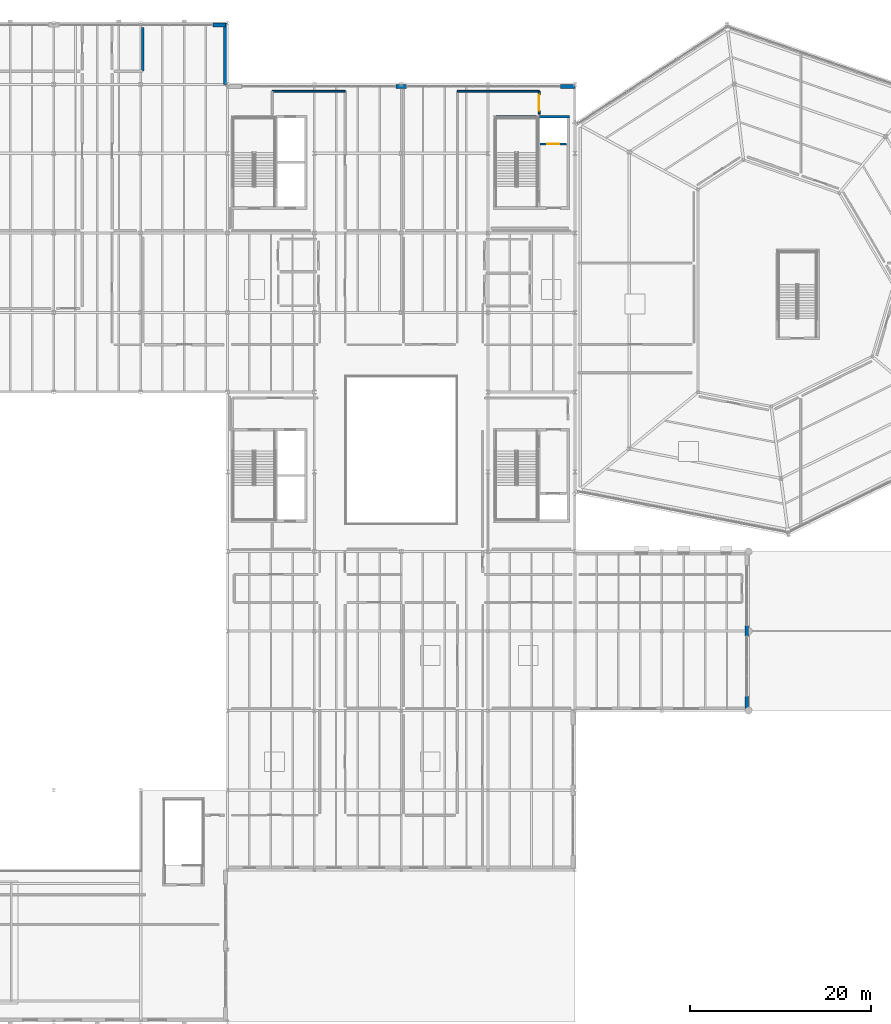
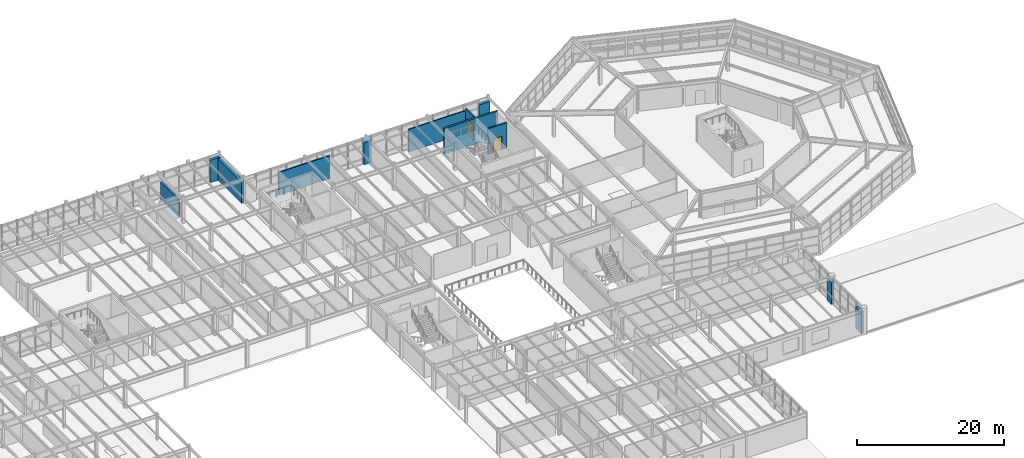
# One storey, part 62 of 77: 12 walls, 2 doors, 2 openings.
"""IFC4 building model written with IfcOpenShell, lengths in metres."""

from ifc_helpers import new_model, si_unit, direction, frame, frame_2d, origin, place, context, subcontext, project, spatial, rectangle, extrude, material, layer, layer_set, type_object, element, fill, save


model = new_model("IFC4")

# Units and contexts
model_context = context("Model", 3, precision=1e-05, world=origin(), true_north=direction((0.0, 1.0)))
body_context = subcontext(model_context, "Body", "Model", "MODEL_VIEW")
ifc_project = project(units=[si_unit("LENGTHUNIT", "METRE"), si_unit("AREAUNIT", "SQUARE_METRE"), si_unit("VOLUMEUNIT", "CUBIC_METRE"), si_unit("PLANEANGLEUNIT", "RADIAN"), si_unit("MASSUNIT", "GRAM", prefix="KILO")], contexts=[model_context])

# Site, building, storey
site_placement = place(None, origin())
site = spatial("IfcSite", under=ifc_project, at=site_placement, CompositionType="ELEMENT")
building_placement = place(site_placement, origin())
building = spatial("IfcBuilding", under=site, at=building_placement, Name="Sarnbrook Museum", CompositionType="ELEMENT")
storey_placement = place(building_placement, frame((0.0, 0.0, 5.60009765625)))
storey = spatial("IfcBuildingStorey", under=building, at=storey_placement, Name="L01", CompositionType="ELEMENT", Elevation=5.60009765625)

# Walls
ifc_material_1 = material(Name="Concrete N50 (AS 3600, f'c = 50 MPa)", Category="concrete")
ifc_layer_1 = layer(ifc_material_1, 0.300048828125)
ifc_layer_set_1 = layer_set([ifc_layer_1], Name="Concrete N50 (AS 3600, f'c = 50 MPa)")
wall_type_1 = type_object("IfcWallType", Name="CoreWall_CWRC", PredefinedType="SHEAR", material=ifc_layer_set_1)
wall_1_placement = place(storey_placement, frame((118.60009765625, 104.85009765625, 0.0), z_axis=(0.0, 0.0, 1.0), x_axis=(-1.0, 0.0, 0.0)))
element("IfcWall", 1, at=wall_1_placement, inside=storey, type_object=wall_type_1, Name="Core C2 Shear Wall N L01", PredefinedType="SHEAR", context=body_context, shape_type="SweptSolid", body=[
    extrude(rectangle(XDim=8.400146484375, YDim=0.300048828125, at=frame_2d((4.2001953125, 0.0))), origin(), (0.0, 0.0, 1.0), 4.244873046875),
])
ifc_material_2 = material(Name="Concrete N40 (AS 3600, f'c = 40 MPa)", Category="concrete")
ifc_layer_2 = layer(ifc_material_2, 0.260009765625)
ifc_layer_set_2 = layer_set([ifc_layer_2], Name="Concrete N40 (AS 3600, f'c = 40 MPa)")
wall_type_2 = type_object("IfcWallType", Name="FireWall_FW240", PredefinedType="SOLIDWALL", material=ifc_layer_set_2)
wall_2_placement = place(storey_placement, frame((71.419921875, 109.8701171875, 0.0), z_axis=(0.0, 0.0, 1.0), x_axis=(0.0, 1.0, 0.0)))
element("IfcWall", 2, at=wall_2_placement, inside=storey, type_object=wall_type_2, Name="Interior Partition Wall L01-0447", PredefinedType="SOLIDWALL", context=body_context, shape_type="SweptSolid", body=[
    extrude(rectangle(XDim=4.849853515625, YDim=0.260009765625, at=frame_2d((2.4248046875, 0.0))), origin(), (0.0, 0.0, 1.0), 2.89990234375),
])
ifc_material_3 = material(Name="Fire-Rated Acoustic Gypsum Plasterboard")
ifc_layer_3 = layer(ifc_material_3, 0.179931640625)
ifc_layer_set_3 = layer_set([ifc_layer_3], Name="Fire-Rated Acoustic Gypsum Plasterboard")
wall_type_3 = type_object("IfcWallType", Name="PartWall_P180", PredefinedType="PARTITIONING", material=ifc_layer_set_3)
wall_3_placement = place(storey_placement, frame((115.239990234375, 107.64990234375, 0.0), z_axis=(0.0, 0.0, 1.0), x_axis=(-1.0, 0.0, 0.0)))
element("IfcWall", 3, at=wall_3_placement, inside=storey, type_object=wall_type_3, Name="Interior Partition Wall L01-0359", PredefinedType="PARTITIONING", context=body_context, shape_type="SweptSolid", body=[
    extrude(rectangle(XDim=9.030029296875, YDim=0.179931640625, at=frame_2d((4.51513671875, 0.0))), origin(), (0.0, 0.0, 1.0), 3.762939453125),
])
ifc_layer_4 = layer(ifc_material_3, 0.195068359375)
ifc_layer_set_4 = layer_set([ifc_layer_4], Name="Fire-Rated Acoustic Gypsum Plasterboard")
wall_type_4 = type_object("IfcWallType", Name="PartWall_P195", PredefinedType="PARTITIONING", material=ifc_layer_set_4)
wall_4_placement = place(storey_placement, frame((93.7900390625, 107.64990234375, 0.0), z_axis=(0.0, 0.0, 1.0), x_axis=(-1.0, 0.0, 0.0)))
element("IfcWall", 4, at=wall_4_placement, inside=storey, type_object=wall_type_4, Name="Interior Partition Wall L01-0337", PredefinedType="PARTITIONING", context=body_context, shape_type="SweptSolid", body=[
    extrude(rectangle(XDim=8.030029296875, YDim=0.195068359375, at=frame_2d((4.01513671875, 0.0))), origin(), (0.0, 0.0, 1.0), 3.762939453125),
])

# Wall, opening, door
wall_5_placement = place(storey_placement, frame((115.25, 105.1201171875, 0.0), z_axis=(0.0, 0.0, 1.0), x_axis=(0.0, 1.0, 0.0)))
wall_5 = element("IfcWall", 5, at=wall_5_placement, inside=storey, type_object=wall_type_4, Name="Interior Partition Wall L01-0358", PredefinedType="PARTITIONING", context=body_context, shape_type="SweptSolid", body=[
    extrude(rectangle(XDim=2.519775390625, YDim=0.195068359375, at=frame_2d((1.259765625, 0.0))), origin(), (0.0, 0.0, 1.0), 4.1298828125),
])
opening_1_placement = place(wall_5_placement, frame((0.385009765625, 0.0, 0.0)))
opening_1 = element("IfcOpeningElement", 6, at=opening_1_placement, cuts=wall_5, Name="Opening D-L01-111", PredefinedType="OPENING", context=body_context, shape_type="SweptSolid", body=[
    extrude(rectangle(XDim=1.75, YDim=2.580078125, at=frame_2d((0.875, 1.2900390625))), frame((0.0, 0.107421875, 0.0), z_axis=(0.0, -1.0, 0.0), x_axis=(1.0, 0.0, 0.0)), (0.0, 0.0, 1.0), 0.215087890625),
])
ifc_material_4 = material(Name="Tasmanian Oak Acoustic Timber", Category="wood")
door_type_1 = type_object("IfcDoorType", Name="IntDoor_DT35", OperationType="NOTDEFINED", PredefinedType="DOOR", material=ifc_material_4)
door_1_placement = place(opening_1_placement, origin())
door_1 = element("IfcDoor", 7, at=door_1_placement, inside=storey, type_object=door_type_1, Name="School Workshop Classroom L01-18 Door D-L01-111", OperationType="DOUBLE_DOOR_SINGLE_SWING", OverallHeight=2.580078125, OverallWidth=1.75, PredefinedType="DOOR", context=body_context, shape_type="SweptSolid", body=[
    extrude(rectangle(XDim=1.75, YDim=2.580078125, at=frame_2d((0.875, 1.2900390625))), frame((0.0, 0.02490234375, 0.0), z_axis=(0.0, -1.0, 0.0), x_axis=(1.0, 0.0, 0.0)), (0.0, 0.0, 1.0), 0.050048828125),
])
fill(opening_1, door_1)

ifc_layer_5 = layer(ifc_material_2, 0.239990234375)
ifc_layer_set_5 = layer_set([ifc_layer_5], Name="Concrete N40 (AS 3600, f'c = 40 MPa)")
wall_type_5 = type_object("IfcWallType", Name="ShaftWall_SWRC", PredefinedType="SOLIDWALL", material=ifc_layer_set_5)
wall_6_placement = place(storey_placement, frame((115.320068359375, 101.820068359375, 0.0), z_axis=(0.0, 0.0, 1.0), x_axis=(1.0, 0.0, 0.0)))
wall_6 = element("IfcWall", 8, at=wall_6_placement, inside=storey, type_object=wall_type_5, Name="Lift EL2 Shaft Front Wall L01", PredefinedType="SOLIDWALL", context=body_context, shape_type="SweptSolid", body=[
    extrude(rectangle(XDim=2.969970703125, YDim=0.239990234375, at=frame_2d((1.48486328125, 0.0))), origin(), (0.0, 0.0, 1.0), 4.244873046875),
])
opening_2_placement = place(wall_6_placement, frame((0.8349609375, 0.0, 0.0)))
opening_2 = element("IfcOpeningElement", 9, at=opening_2_placement, cuts=wall_6, Name="Opening LD-EL2-L01", PredefinedType="OPENING", context=body_context, shape_type="SweptSolid", body=[
    extrude(rectangle(XDim=1.300048828125, YDim=2.25, at=frame_2d((0.64990234375, 1.125))), frame((0.0, 0.1298828125, 0.0), z_axis=(0.0, -1.0, 0.0), x_axis=(1.0, 0.0, 0.0)), (0.0, 0.0, 1.0), 0.260009765625),
])
ifc_material_5 = material(Name="Brushed Stainless Steel Grade 316", Category="steel")
door_type_2 = type_object("IfcDoorType", Name="LiftDoor_FF130", OperationType="DOUBLE_DOOR_SLIDING", PredefinedType="DOOR", material=ifc_material_5)
door_2_placement = place(opening_2_placement, origin())
door_2 = element("IfcDoor", 10, at=door_2_placement, inside=storey, type_object=door_type_2, Name="Lift Landing Sliding Door LD-EL2-L01", OperationType="DOUBLE_DOOR_SLIDING", OverallHeight=2.25, OverallWidth=1.300048828125, PredefinedType="DOOR", context=body_context, shape_type="SweptSolid", body=[
    extrude(rectangle(XDim=1.300048828125, YDim=2.25, at=frame_2d((0.64990234375, 1.125))), frame((0.0, 0.02490234375, 0.0), z_axis=(0.0, -1.0, 0.0), x_axis=(1.0, 0.0, 0.0)), (0.0, 0.0, 1.0), 0.050048828125),
])
fill(opening_2, door_2)

# Walls
ifc_material_6 = material(Name="Barrabool Sandstone Ashlar Cladding", Category="masonry")
ifc_layer_6 = layer(ifc_material_6, 0.419921875)
ifc_layer_set_6 = layer_set([ifc_layer_6], Name="Barrabool Sandstone Ashlar Cladding")
wall_type_6 = type_object("IfcWallType", Name="Wall_SandstoneExt420", PredefinedType="SOLIDWALL", material=ifc_layer_set_6)
wall_7_placement = place(storey_placement, frame((138.18994140625, 39.416015625, 0.0), z_axis=(0.0, 0.0, 1.0), x_axis=(0.0, 1.0, 0.0)))
element("IfcWall", 11, at=wall_7_placement, inside=storey, type_object=wall_type_6, Name="Classical Sandstone Facade Pier L01-4.1", PredefinedType="SOLIDWALL", context=body_context, shape_type="SweptSolid", body=[
    extrude(rectangle(XDim=1.384033203125, YDim=0.419921875, at=frame_2d((0.69189453125, 0.0))), origin(), (0.0, 0.0, 1.0), 3.6279296875),
])
wall_8_placement = place(storey_placement, frame((138.18994140625, 47.39990234375, 0.0), z_axis=(0.0, 0.0, 1.0), x_axis=(0.0, 1.0, 0.0)))
element("IfcWall", 12, at=wall_8_placement, inside=storey, type_object=wall_type_6, Name="Classical Sandstone Facade Pier L01-4.2", PredefinedType="SOLIDWALL", context=body_context, shape_type="SweptSolid", body=[
    extrude(rectangle(XDim=1.2001953125, YDim=0.419921875, at=frame_2d((0.60009765625, 0.0))), origin(), (0.0, 0.0, 1.0), 3.6279296875),
])
wall_9_placement = place(storey_placement, frame((119.199951171875, 108.18994140625, 0.0), z_axis=(0.0, 0.0, 1.0), x_axis=(-1.0, 0.0, 0.0)))
element("IfcWall", 13, at=wall_9_placement, inside=storey, type_object=wall_type_6, Name="Classical Sandstone Facade Pier L01-6.1", PredefinedType="SOLIDWALL", context=body_context, shape_type="SweptSolid", body=[
    extrude(rectangle(XDim=1.599853515625, YDim=0.419921875, at=frame_2d((0.7998046875, 0.0))), origin(), (0.0, 0.0, 1.0), 3.6279296875),
])
wall_10_placement = place(storey_placement, frame((100.60009765625, 108.18994140625, 0.0), z_axis=(0.0, 0.0, 1.0), x_axis=(-1.0, 0.0, 0.0)))
element("IfcWall", 14, at=wall_10_placement, inside=storey, type_object=wall_type_6, Name="Classical Sandstone Facade Pier L01-6.2", PredefinedType="SOLIDWALL", context=body_context, shape_type="SweptSolid", body=[
    extrude(rectangle(XDim=1.2001953125, YDim=0.419921875, at=frame_2d((0.60009765625, 0.0))), origin(), (0.0, 0.0, 1.0), 3.6279296875),
])
wall_11_placement = place(storey_placement, frame((80.590087890625, 108.39990234375, 0.0), z_axis=(0.0, 0.0, 1.0), x_axis=(0.0, 1.0, 0.0)))
element("IfcWall", 15, at=wall_11_placement, inside=storey, type_object=wall_type_6, Name="Classical Sandstone Facade Wall L01-07", PredefinedType="SOLIDWALL", context=body_context, shape_type="SweptSolid", body=[
    extrude(rectangle(XDim=6.800048828125, YDim=0.419921875, at=frame_2d((3.39990234375, 0.0))), origin(), (0.0, 0.0, 1.0), 3.557861328125),
])
wall_12_placement = place(storey_placement, frame((80.583984375, 114.989990234375, 0.0), z_axis=(0.0, 0.0, 1.0), x_axis=(-1.0, 0.0, 0.0)))
element("IfcWall", 16, at=wall_12_placement, inside=storey, type_object=wall_type_6, Name="Classical Sandstone Facade Pier L01-8.1", PredefinedType="SOLIDWALL", context=body_context, shape_type="SweptSolid", body=[
    extrude(rectangle(XDim=1.384033203125, YDim=0.419921875, at=frame_2d((0.69189453125, 0.0))), origin(), (0.0, 0.0, 1.0), 3.7080078125),
])

save(model, "model.ifc")
